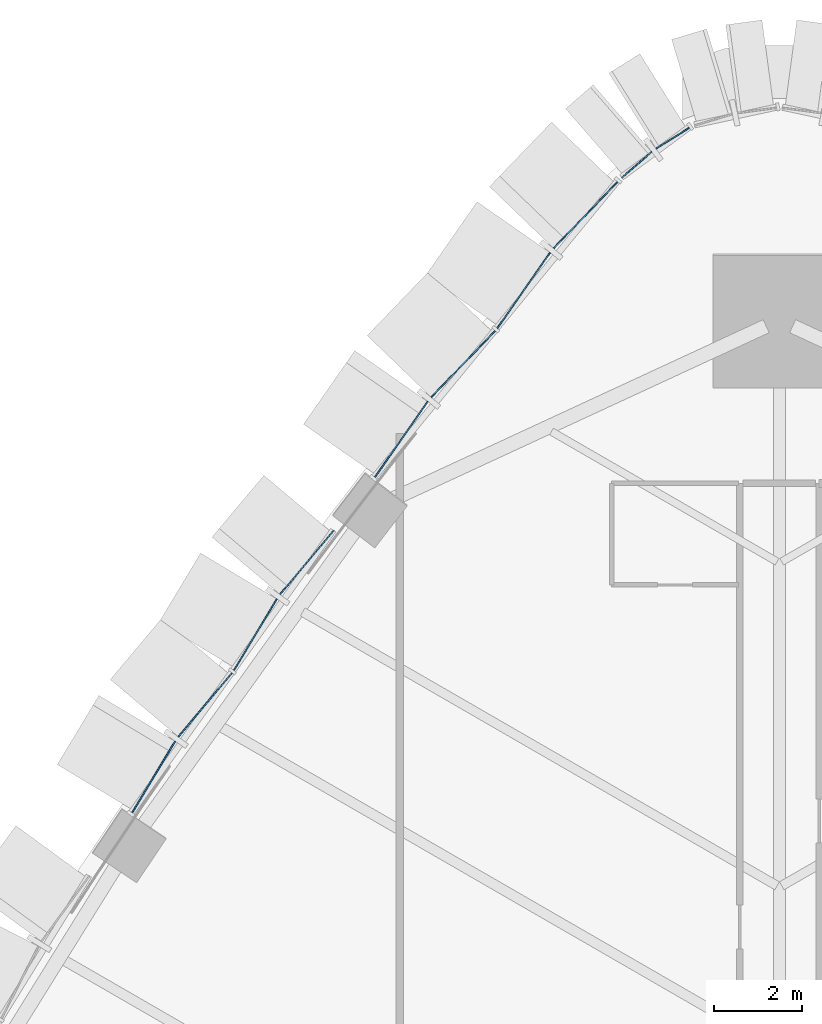
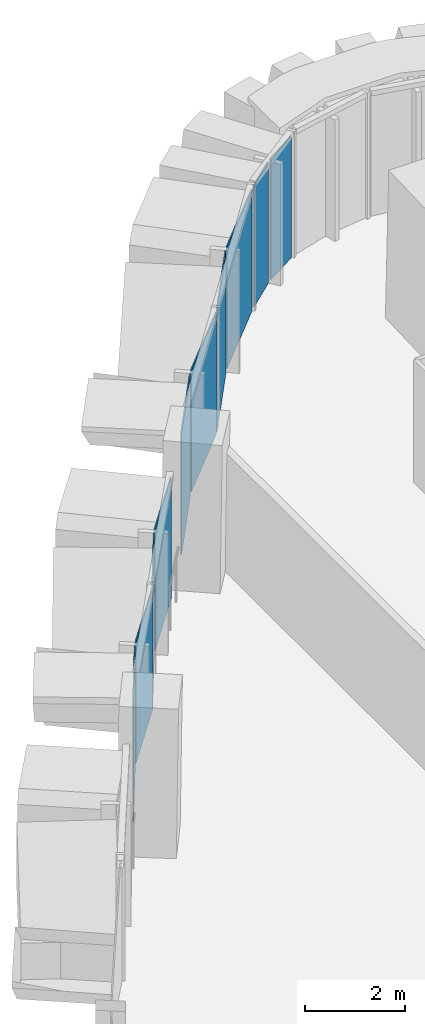
# One storey, part 12 of 24: 10 plates, 3 elements without a shape of their own.
"""IFC4 building model written with IfcOpenShell, lengths in metres."""

from ifc_helpers import new_model, si_unit, direction, frame, origin, place, context, subcontext, project, spatial, polyline, outline, extrude, material, layer, layer_set, type_object, element, aggregate, save


model = new_model("IFC4")

# Units and contexts
model_context = context("Model", 3, precision=1e-05, world=origin(), true_north=direction((0.0, 1.0)))
body_context = subcontext(model_context, "Body", "Model", "MODEL_VIEW")
ifc_project = project(units=[si_unit("LENGTHUNIT", "METRE"), si_unit("AREAUNIT", "SQUARE_METRE"), si_unit("VOLUMEUNIT", "CUBIC_METRE"), si_unit("PLANEANGLEUNIT", "RADIAN"), si_unit("MASSUNIT", "GRAM", prefix="KILO")], contexts=[model_context])

# Site, building, storey
site_placement = place(None, origin())
site = spatial("IfcSite", under=ifc_project, at=site_placement, CompositionType="ELEMENT")
building_placement = place(site_placement, origin())
building = spatial("IfcBuilding", under=site, at=building_placement, Name="Sierra Prisma Convention Tower", CompositionType="ELEMENT")
storey_placement = place(building_placement, frame((0.0, 0.0, 55.39990234375)))
storey = spatial("IfcBuildingStorey", under=building, at=storey_placement, Name="L09", CompositionType="ELEMENT", Elevation=55.39990234375)

# Curtain wall, plates
ifc_material_1 = material(Name="Aluminium and glass curtain wall", Category="aluminium")
ifc_layer_1 = layer(ifc_material_1, 0.179931640625)
ifc_layer_set_1 = layer_set([ifc_layer_1], Name="CW-2 Faceted crystal curtain wall")
curtain_wall_type = type_object("IfcCurtainWallType", Name="CW-2 Faceted crystal curtain wall", PredefinedType="NOTDEFINED", material=ifc_layer_set_1)
curtain_wall_1_placement = place(storey_placement, origin())
curtain_wall_1 = element("IfcCurtainWall", 1, at=curtain_wall_1_placement, inside=storey, type_object=curtain_wall_type, Name="CW-2 N4 L09", PredefinedType="NOTDEFINED")
ifc_material_2 = material(Name="Tinted glass bronze-grey IGU", Category="glass")
ifc_layer_2 = layer(ifc_material_2, 0.028076171875)
ifc_layer_set_2 = layer_set([ifc_layer_2], Name="CW-2 crystal pane")
plate_type = type_object("IfcPlateType", Name="CW-2 crystal pane", PredefinedType="CURTAIN_PANEL", material=ifc_layer_set_2)
plate_1_placement = place(storey_placement, frame((-2.048828125, 35.55908203125, 0.0), z_axis=(-0.529949472946, 0.848029218909, 0.0), x_axis=(-0.848029218909, -0.529949472946, 0.0)))
plate_1 = element("IfcPlate", 2, at=plate_1_placement, type_object=plate_type, Name="CW-2 pane N4.1.1", PredefinedType="CURTAIN_PANEL", context=body_context, shape_type="SweptSolid", body=[
    extrude(outline(polyline([(0.0, 0.0), (0.8872824066340516, 0.0), (0.8872824066340516, 2.97998046875), (0.0, 2.97998046875), (0.0, 0.0)])), origin(), (0.0, 0.0, -1.0), 0.028076171875),
])
plate_2_placement = place(storey_placement, frame((-3.574951171875, 34.4296875, 0.0), z_axis=(-0.656124202493, 0.75465292082, 0.0), x_axis=(0.75465292082, 0.656124202493, 0.0)))
plate_2 = element("IfcPlate", 3, at=plate_2_placement, type_object=plate_type, Name="CW-2 pane N4.1.2", PredefinedType="CURTAIN_PANEL", context=body_context, shape_type="SweptSolid", body=[
    extrude(outline(polyline([(0.0, 0.0), (0.8870748065510612, 0.0), (0.8870748065510612, -2.9799804687500004), (0.0, -2.9799804687500004), (0.0, 0.0)])), origin(), (0.0, 0.0, -1.0), 0.028076171875),
])
aggregate(curtain_wall_1, [plate_1, plate_2])

curtain_wall_2_placement = place(storey_placement, origin())
curtain_wall_2 = element("IfcCurtainWall", 4, at=curtain_wall_2_placement, inside=storey, type_object=curtain_wall_type, Name="CW-2 NW1 L09", PredefinedType="NOTDEFINED")
plate_3_placement = place(storey_placement, frame((-3.675537109375, 34.333984375, 0.0), z_axis=(-0.720532100346, 0.693421583434, 0.0), x_axis=(-0.693421583434, -0.720532100346, 0.0)))
plate_3 = element("IfcPlate", 5, at=plate_3_placement, type_object=plate_type, Name="CW-2 pane NW1.1.1", PredefinedType="CURTAIN_PANEL", context=body_context, shape_type="SweptSolid", body=[
    extrude(outline(polyline([(0.0, 0.0), (2.089249171588364, 0.0), (2.089249171588364, 2.97998046875), (0.0, 2.97998046875), (0.0, 0.0)])), origin(), (0.0, 0.0, -1.0), 0.028076171875),
])
plate_4_placement = place(storey_placement, frame((-6.402099609375, 31.014892578125, 0.0), z_axis=(-0.820125679177, 0.572183423697, 0.0), x_axis=(0.572183423697, 0.820125679177, 0.0)))
plate_4 = element("IfcPlate", 6, at=plate_4_placement, type_object=plate_type, Name="CW-2 pane NW1.1.2", PredefinedType="CURTAIN_PANEL", context=body_context, shape_type="SweptSolid", body=[
    extrude(outline(polyline([(0.0, 0.0), (2.089463957029097, 0.0), (2.089463957029097, -2.97998046875), (0.0, -2.97998046875), (0.0, 0.0)])), origin(), (0.0, 0.0, -1.0), 0.028076171875),
])
plate_5_placement = place(storey_placement, frame((-6.446533203125, 30.960693359375, 0.0), z_axis=(-0.720532100346, 0.693421583434, 0.0), x_axis=(-0.693421583434, -0.720532100346, 0.0)))
plate_5 = element("IfcPlate", 7, at=plate_5_placement, type_object=plate_type, Name="CW-2 pane NW1.2.1", PredefinedType="CURTAIN_PANEL", context=body_context, shape_type="SweptSolid", body=[
    extrude(outline(polyline([(0.0, 0.0), (2.089249171588364, 0.0), (2.089249171588364, 2.97998046875), (0.0, 2.97998046875), (0.0, 0.0)])), origin(), (0.0, 0.0, -1.0), 0.028076171875),
])
plate_6_placement = place(storey_placement, frame((-9.1728515625, 27.6416015625, 0.0), z_axis=(-0.820180509406, 0.572104826051, 0.0), x_axis=(0.572104826051, 0.820180509406, 0.0)))
plate_6 = element("IfcPlate", 8, at=plate_6_placement, type_object=plate_type, Name="CW-2 pane NW1.2.2", PredefinedType="CURTAIN_PANEL", context=body_context, shape_type="SweptSolid", body=[
    extrude(outline(polyline([(0.0, 0.0), (2.08932427340454, 0.0), (2.08932427340454, -2.97998046875), (0.0, -2.97998046875), (0.0, 0.0)])), origin(), (0.0, 0.0, -1.0), 0.028076171875),
])
aggregate(curtain_wall_2, [plate_3, plate_4, plate_5, plate_6])

curtain_wall_3_placement = place(storey_placement, origin())
curtain_wall_3 = element("IfcCurtainWall", 9, at=curtain_wall_3_placement, inside=storey, type_object=curtain_wall_type, Name="CW-2 NW2 L09", PredefinedType="NOTDEFINED")
plate_7_placement = place(storey_placement, frame((-10.105712890625, 26.43505859375, 0.0), z_axis=(-0.76558507313, 0.643334668583, 0.0), x_axis=(-0.643334668583, -0.76558507313, 0.0)))
plate_7 = element("IfcPlate", 10, at=plate_7_placement, type_object=plate_type, Name="CW-2 pane NW2.1.1", PredefinedType="CURTAIN_PANEL", context=body_context, shape_type="SweptSolid", body=[
    extrude(outline(polyline([(0.0, 0.0), (1.887215764073626, 0.0), (1.887215764073626, 2.97998046875), (0.0, 2.97998046875), (0.0, 0.0)])), origin(), (0.0, 0.0, -1.0), 0.028076171875),
])
plate_8_placement = place(storey_placement, frame((-12.368408203125, 23.267822265625, 0.0), z_axis=(-0.856795843037, 0.51565577991, 0.0), x_axis=(0.51565577991, 0.856795843037, 0.0)))
plate_8 = element("IfcPlate", 11, at=plate_8_placement, type_object=plate_type, Name="CW-2 pane NW2.1.2", PredefinedType="CURTAIN_PANEL", context=body_context, shape_type="SweptSolid", body=[
    extrude(outline(polyline([(0.0, 0.0), (1.8871979509655825, 0.0), (1.8871979509655825, -2.97998046875), (0.0, -2.97998046875), (0.0, 0.0)])), origin(), (0.0, 0.0, -1.0), 0.028076171875),
])
plate_9_placement = place(storey_placement, frame((-12.408935546875, 23.210693359375, 0.0), z_axis=(-0.76558507313, 0.643334668583, 0.0), x_axis=(-0.643334668583, -0.76558507313, 0.0)))
plate_9 = element("IfcPlate", 12, at=plate_9_placement, type_object=plate_type, Name="CW-2 pane NW2.2.1", PredefinedType="CURTAIN_PANEL", context=body_context, shape_type="SweptSolid", body=[
    extrude(outline(polyline([(0.0, 0.0), (1.887215764073626, 0.0), (1.887215764073626, 2.97998046875), (0.0, 2.97998046875), (0.0, 0.0)])), origin(), (0.0, 0.0, -1.0), 0.028076171875),
])
plate_10_placement = place(storey_placement, frame((-14.671630859375, 20.04345703125, 0.0), z_axis=(-0.856795843037, 0.51565577991, 0.0), x_axis=(0.51565577991, 0.856795843037, 0.0)))
plate_10 = element("IfcPlate", 13, at=plate_10_placement, type_object=plate_type, Name="CW-2 pane NW2.2.2", PredefinedType="CURTAIN_PANEL", context=body_context, shape_type="SweptSolid", body=[
    extrude(outline(polyline([(0.0, 0.0), (1.8871979509655825, 0.0), (1.8871979509655825, -2.97998046875), (0.0, -2.97998046875), (0.0, 0.0)])), origin(), (0.0, 0.0, -1.0), 0.028076171875),
])
aggregate(curtain_wall_3, [plate_7, plate_8, plate_9, plate_10])

save(model, "model.ifc")
